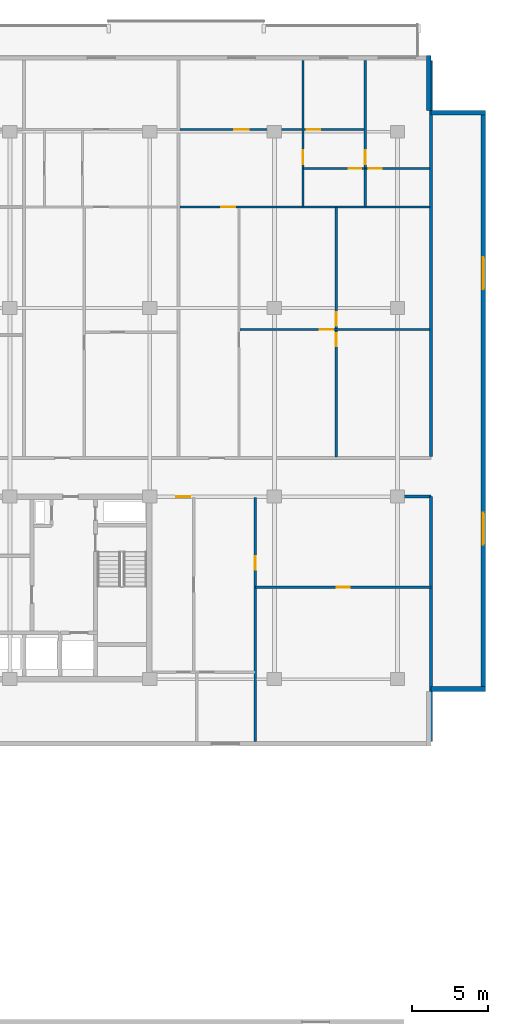
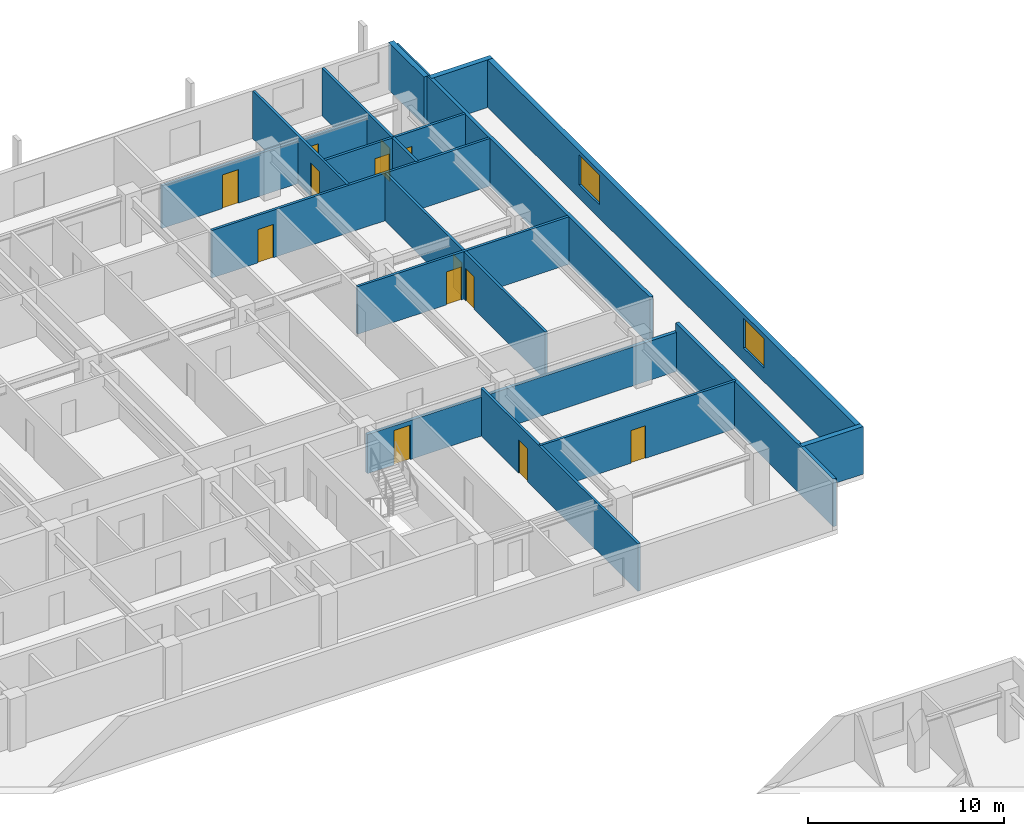
# One storey, part 15 of 21: 17 walls, 13 doors, 2 windows, 15 openings.
"""IFC4 building model written with IfcOpenShell, lengths in metres."""

from ifc_helpers import new_model, si_unit, direction, frame, frame_2d, origin, place, context, subcontext, project, spatial, rectangle, extrude, material, layer, layer_set, type_object, element, fill, save


model = new_model("IFC4")

# Units and contexts
model_context = context("Model", 3, precision=1e-05, world=origin(), true_north=direction((0.0, 1.0)))
body_context = subcontext(model_context, "Body", "Model", "MODEL_VIEW")
ifc_project = project(units=[si_unit("LENGTHUNIT", "METRE"), si_unit("AREAUNIT", "SQUARE_METRE"), si_unit("VOLUMEUNIT", "CUBIC_METRE"), si_unit("PLANEANGLEUNIT", "RADIAN"), si_unit("MASSUNIT", "GRAM", prefix="KILO")], contexts=[model_context])

# Site, building, storey
site_placement = place(None, origin())
site = spatial("IfcSite", under=ifc_project, at=site_placement, CompositionType="ELEMENT")
building_placement = place(site_placement, origin())
building = spatial("IfcBuilding", under=site, at=building_placement, Name="Korimba Cascade Residences", CompositionType="ELEMENT")
storey_placement = place(building_placement, frame((0.0, 0.0, 97.050048828125)))
storey = spatial("IfcBuildingStorey", under=building, at=storey_placement, Name="L27", CompositionType="ELEMENT", Elevation=97.050048828125)

# Wall
ifc_material_1 = material(Name="Precast concrete C40/50", Category="concrete")
ifc_layer_1 = layer(ifc_material_1, 0.300048828125)
ifc_layer_set_1 = layer_set([ifc_layer_1], Name="Precast concrete C40/50")
wall_type_1 = type_object("IfcWallType", Name="EW-STONE-300", PredefinedType="STANDARD", material=ifc_layer_set_1)
wall_1_placement = place(storey_placement, frame((130.60009765625, 54.550048828125, 0.0), z_axis=(0.0, 0.0, 1.0), x_axis=(1.0, 0.0, 0.0)))
element("IfcWall", 1, at=wall_1_placement, inside=storey, type_object=wall_type_1, Name="L27 T1 Perimeter Stone Wall E02", PredefinedType="STANDARD", context=body_context, shape_type="SweptSolid", body=[
    extrude(rectangle(XDim=3.599853515625, YDim=0.300048828125, at=frame_2d((1.7998046875, 0.0))), origin(), (0.0, 0.0, 1.0), 2.969970703125),
])

# Wall, openings, windows
wall_2_placement = place(storey_placement, frame((134.050048828125, 54.39990234375, 0.0), z_axis=(0.0, 0.0, 1.0), x_axis=(0.0, 1.0, 0.0)))
wall_2 = element("IfcWall", 2, at=wall_2_placement, inside=storey, type_object=wall_type_1, Name="L27 T1 Perimeter Stone Wall E03", PredefinedType="STANDARD", context=body_context, shape_type="SweptSolid", body=[
    extrude(rectangle(XDim=38.2001953125, YDim=0.300048828125, at=frame_2d((19.10009765625, 0.0))), origin(), (0.0, 0.0, 1.0), 2.969970703125),
])
opening_1_placement = place(wall_2_placement, frame((9.64599609375, 0.0, 0.85009765625)))
opening_1 = element("IfcOpeningElement", 3, at=opening_1_placement, cuts=wall_2, Name="Opening W-03", PredefinedType="OPENING", context=body_context, shape_type="SweptSolid", body=[
    extrude(rectangle(XDim=2.10009765625, YDim=1.85009765625, at=frame_2d((1.050048828125, 0.925048828125))), frame((0.0, 0.16015625, 0.0), z_axis=(0.0, -1.0, 0.0), x_axis=(1.0, 0.0, 0.0)), (0.0, 0.0, 1.0), 0.320068359375),
])
opening_2_placement = place(wall_2_placement, frame((26.4541015625, 0.0, 0.85009765625)))
opening_2 = element("IfcOpeningElement", 4, at=opening_2_placement, cuts=wall_2, Name="Opening W-03", PredefinedType="OPENING", context=body_context, shape_type="SweptSolid", body=[
    extrude(rectangle(XDim=2.10009765625, YDim=1.85009765625, at=frame_2d((1.050048828125, 0.925048828125))), frame((0.0, 0.16015625, 0.0), z_axis=(0.0, -1.0, 0.0), x_axis=(1.0, 0.0, 0.0)), (0.0, 0.0, 1.0), 0.320068359375),
])
ifc_material_2 = material(Name="Double-Glazed Aluminium Window", Category="aluminium")
window_type = type_object("IfcWindowType", Name="WIN-CRN-2100", PartitioningType="DOUBLE_PANEL_HORIZONTAL", PredefinedType="WINDOW", material=ifc_material_2)
window_1_placement = place(opening_1_placement, origin())
window_1 = element("IfcWindow", 5, at=window_1_placement, inside=storey, type_object=window_type, Name="L27 T1 End View Window 3.1", OverallHeight=1.85009765625, OverallWidth=2.10009765625, PartitioningType="DOUBLE_PANEL_HORIZONTAL", PredefinedType="WINDOW", context=body_context, shape_type="SweptSolid", body=[
    extrude(rectangle(XDim=2.10009765625, YDim=1.85009765625, at=frame_2d((1.050048828125, 0.925048828125))), frame((0.0, 0.030029296875, 0.0), z_axis=(0.0, -1.0, 0.0), x_axis=(1.0, 0.0, 0.0)), (0.0, 0.0, 1.0), 0.06005859375),
])
fill(opening_1, window_1)
window_2_placement = place(opening_2_placement, origin())
window_2 = element("IfcWindow", 6, at=window_2_placement, inside=storey, type_object=window_type, Name="L27 T1 End View Window 3.2", OverallHeight=1.85009765625, OverallWidth=2.10009765625, PartitioningType="DOUBLE_PANEL_HORIZONTAL", PredefinedType="WINDOW", context=body_context, shape_type="SweptSolid", body=[
    extrude(rectangle(XDim=2.10009765625, YDim=1.85009765625, at=frame_2d((1.050048828125, 0.925048828125))), frame((0.0, 0.030029296875, 0.0), z_axis=(0.0, -1.0, 0.0), x_axis=(1.0, 0.0, 0.0)), (0.0, 0.0, 1.0), 0.06005859375),
])
fill(opening_2, window_2)

# Walls
for number, where, z_axis, x_axis, name in (
    (7, (134.199951171875, 92.449951171875, 0.0), (0.0, 0.0, 1.0), (-1.0, 0.0, 0.0), "L27 T1 Perimeter Stone Wall E04"),
    (8, (130.449951171875, 92.60009765625, 0.0), (0.0, 0.0, 1.0), (0.0, 1.0, 0.0), "L27 T1 Perimeter Stone Wall E05"),
):
    element("IfcWall", number, at=place(storey_placement, frame(where, z_axis=z_axis, x_axis=x_axis)), inside=storey, type_object=wall_type_1, Name=name, PredefinedType="STANDARD", context=body_context, shape_type="SweptSolid", body=[
        extrude(rectangle(XDim=3.599853515625, YDim=0.300048828125, at=frame_2d((1.7998046875, 0.0))), origin(), (0.0, 0.0, 1.0), 2.969970703125),
    ])
ifc_layer_2 = layer(ifc_material_1, 0.199951171875)
ifc_layer_set_2 = layer_set([ifc_layer_2], Name="Precast concrete C40/50")
wall_type_2 = type_object("IfcWallType", Name="WAL-IT-200", PredefinedType="PARTITIONING", material=ifc_layer_set_2)
wall_3_placement = place(storey_placement, frame((130.60009765625, 51.10009765625, 0.0), z_axis=(0.0, 0.0, 1.0), x_axis=(0.0, 1.0, 0.0)))
element("IfcWall", 9, at=wall_3_placement, inside=storey, type_object=wall_type_2, Name="L27 Partition Wall WAL-L27-T1-FE-WR", PredefinedType="PARTITIONING", context=body_context, shape_type="SweptSolid", body=[
    extrude(rectangle(XDim=16.099853515625, YDim=0.199951171875, at=frame_2d((8.0498046875, 0.0))), origin(), (0.0, 0.0, 1.0), 2.969970703125),
])

# Wall, opening, door
wall_4_placement = place(storey_placement, frame((112.25, 67.199951171875, 0.0), z_axis=(0.0, 0.0, 1.0), x_axis=(1.0, 0.0, 0.0)))
wall_4 = element("IfcWall", 10, at=wall_4_placement, inside=storey, type_object=wall_type_2, Name="L27 Partition Wall WAL-L27-T1-FE-N", PredefinedType="PARTITIONING", context=body_context, shape_type="SweptSolid", body=[
    extrude(rectangle(XDim=18.35009765625, YDim=0.199951171875, at=frame_2d((9.175048828125, 0.0))), origin(), (0.0, 0.0, 1.0), 2.433349609375),
])
opening_3_placement = place(wall_4_placement, frame((1.580078125, 0.0, 0.0)))
opening_3 = element("IfcOpeningElement", 11, at=opening_3_placement, cuts=wall_4, Name="Opening D-UN1", PredefinedType="OPENING", context=body_context, shape_type="SweptSolid", body=[
    extrude(rectangle(XDim=0.949951171875, YDim=2.14990234375, at=frame_2d((0.47509765625, 1.074951171875))), frame((0.0, 0.10986328125, 0.0), z_axis=(0.0, -1.0, 0.0), x_axis=(1.0, 0.0, 0.0)), (0.0, 0.0, 1.0), 0.219970703125),
])
ifc_material_3 = material(Name="Fire-Rated Hardwood Apartment Entrance Door", Category="wood")
door_type_1 = type_object("IfcDoorType", Name="DR-FD60-950", OperationType="NOTDEFINED", PredefinedType="DOOR", material=ifc_material_3)
door_1_placement = place(opening_3_placement, origin())
door_1 = element("IfcDoor", 12, at=door_1_placement, inside=storey, type_object=door_type_1, Name="L27-T1-FE Entrance Door", OperationType="SINGLE_SWING_LEFT", OverallHeight=2.14990234375, OverallWidth=0.949951171875, PredefinedType="DOOR", context=body_context, shape_type="SweptSolid", body=[
    extrude(rectangle(XDim=0.949951171875, YDim=2.14990234375, at=frame_2d((0.47509765625, 1.074951171875))), frame((0.0, 0.02490234375, 0.0), z_axis=(0.0, -1.0, 0.0), x_axis=(1.0, 0.0, 0.0)), (0.0, 0.0, 1.0), 0.050048828125),
])
fill(opening_3, door_1)

# Wall
wall_5_placement = place(storey_placement, frame((130.60009765625, 69.830078125, 0.0), z_axis=(0.0, 0.0, 1.0), x_axis=(0.0, 1.0, 0.0)))
element("IfcWall", 13, at=wall_5_placement, inside=storey, type_object=wall_type_2, Name="L27 Partition Wall WAL-L27-T1-BNDWR", PredefinedType="PARTITIONING", context=body_context, shape_type="SweptSolid", body=[
    extrude(rectangle(XDim=26.06982421875, YDim=0.199951171875, at=frame_2d((13.034912109375, 0.0))), origin(), (0.0, 0.0, 1.0), 2.969970703125),
])

# Wall, opening, door
ifc_material_4 = material(Name="Insulated Acoustic Stud Partition", Category="gypsum")
ifc_layer_3 = layer(ifc_material_4, 0.14990234375)
ifc_layer_set_3 = layer_set([ifc_layer_3], Name="Insulated Acoustic Stud Partition")
wall_type_3 = type_object("IfcWallType", Name="WAL-PART-150", PredefinedType="PARTITIONING", material=ifc_layer_set_3)
wall_6_placement = place(storey_placement, frame((119.050048828125, 61.25, 0.0), z_axis=(0.0, 0.0, 1.0), x_axis=(1.0, 0.0, 0.0)))
wall_6 = element("IfcWall", 14, at=wall_6_placement, inside=storey, type_object=wall_type_3, Name="L27 Partition Wall WAL-L27-T1-FE-STH", PredefinedType="PARTITIONING", context=body_context, shape_type="SweptSolid", body=[
    extrude(rectangle(XDim=11.550048828125, YDim=0.14990234375, at=frame_2d((5.77490234375, 0.0))), origin(), (0.0, 0.0, 1.0), 2.969970703125),
])
opening_4_placement = place(wall_6_placement, frame((5.35498046875, 0.0, 0.0)))
opening_4 = element("IfcOpeningElement", 15, at=opening_4_placement, cuts=wall_6, Name="Opening D-BT1", PredefinedType="OPENING", context=body_context, shape_type="SweptSolid", body=[
    extrude(rectangle(XDim=0.840087890625, YDim=2.0400390625, at=frame_2d((0.419921875, 1.02001953125))), frame((0.0, 0.0849609375, 0.0), z_axis=(0.0, -1.0, 0.0), x_axis=(1.0, 0.0, 0.0)), (0.0, 0.0, 1.0), 0.169921875),
])
ifc_material_5 = material(Name="Moisture-Resistant Bathroom Timber Door", Category="wood")
door_type_2 = type_object("IfcDoorType", Name="DR-INT-850", OperationType="NOTDEFINED", PredefinedType="DOOR", material=ifc_material_5)
door_2_placement = place(opening_4_placement, origin())
door_2 = element("IfcDoor", 16, at=door_2_placement, inside=storey, type_object=door_type_2, Name="L27-T1-FE Dressing Store Door", OperationType="SINGLE_SWING_RIGHT", OverallHeight=2.0400390625, OverallWidth=0.840087890625, PredefinedType="DOOR", context=body_context, shape_type="SweptSolid", body=[
    extrude(rectangle(XDim=0.840087890625, YDim=2.0400390625, at=frame_2d((0.419921875, 1.02001953125))), frame((0.0, 0.02490234375, 0.0), z_axis=(0.0, -1.0, 0.0), x_axis=(1.0, 0.0, 0.0)), (0.0, 0.0, 1.0), 0.050048828125),
])
fill(opening_4, door_2)

wall_7_placement = place(storey_placement, frame((119.050048828125, 51.10009765625, 0.0), z_axis=(0.0, 0.0, 1.0), x_axis=(0.0, 1.0, 0.0)))
wall_7 = element("IfcWall", 17, at=wall_7_placement, inside=storey, type_object=wall_type_3, Name="L27 Partition Wall WAL-L27-T1-FE-STV", PredefinedType="PARTITIONING", context=body_context, shape_type="SweptSolid", body=[
    extrude(rectangle(XDim=16.0498046875, YDim=0.14990234375, at=frame_2d((8.02490234375, 0.0))), origin(), (0.0, 0.0, 1.0), 2.969970703125),
])
opening_5_placement = place(wall_7_placement, frame((11.300048828125, 0.0, 0.0)))
opening_5 = element("IfcOpeningElement", 18, at=opening_5_placement, cuts=wall_7, Name="Opening D-IN2", PredefinedType="OPENING", context=body_context, shape_type="SweptSolid", body=[
    extrude(rectangle(XDim=0.8798828125, YDim=2.06005859375, at=frame_2d((0.43994140625, 1.030029296875))), frame((0.0, 0.0849609375, 0.0), z_axis=(0.0, -1.0, 0.0), x_axis=(1.0, 0.0, 0.0)), (0.0, 0.0, 1.0), 0.169921875),
])
ifc_material_6 = material(Name="Acoustic Timber Bedroom Door", Category="wood")
door_type_3 = type_object("IfcDoorType", Name="DR-INT-880", OperationType="NOTDEFINED", PredefinedType="DOOR", material=ifc_material_6)
door_3_placement = place(opening_5_placement, origin())
door_3 = element("IfcDoor", 19, at=door_3_placement, inside=storey, type_object=door_type_3, Name="L27-T1-FE Study Door", OperationType="SINGLE_SWING_LEFT", OverallHeight=2.06005859375, OverallWidth=0.8798828125, PredefinedType="DOOR", context=body_context, shape_type="SweptSolid", body=[
    extrude(rectangle(XDim=0.8798828125, YDim=2.06005859375, at=frame_2d((0.43994140625, 1.030029296875))), frame((0.0, 0.02490234375, 0.0), z_axis=(0.0, -1.0, 0.0), x_axis=(1.0, 0.0, 0.0)), (0.0, 0.0, 1.0), 0.050048828125),
])
fill(opening_5, door_3)

# Wall, openings, doors
wall_8_placement = place(storey_placement, frame((124.376953125, 69.81005859375, 0.0), z_axis=(0.0, 0.0, 1.0), x_axis=(0.0, 1.0, 0.0)))
wall_8 = element("IfcWall", 20, at=wall_8_placement, inside=storey, type_object=wall_type_3, Name="L27 Partition Wall WAL-L27-T1-U05-FMV", PredefinedType="PARTITIONING", context=body_context, shape_type="SweptSolid", body=[
    extrude(rectangle(XDim=16.39990234375, YDim=0.14990234375, at=frame_2d((8.199951171875, 0.0))), origin(), (0.0, 0.0, 1.0), 2.969970703125),
])
opening_6_placement = place(wall_8_placement, frame((7.2900390625, 0.0, 0.0)))
opening_6 = element("IfcOpeningElement", 21, at=opening_6_placement, cuts=wall_8, Name="Opening D-BT1", PredefinedType="OPENING", context=body_context, shape_type="SweptSolid", body=[
    extrude(rectangle(XDim=0.840087890625, YDim=2.0400390625, at=frame_2d((0.419921875, 1.02001953125))), frame((0.0, 0.0849609375, 0.0), z_axis=(0.0, -1.0, 0.0), x_axis=(1.0, 0.0, 0.0)), (0.0, 0.0, 1.0), 0.169921875),
])
opening_7_placement = place(wall_8_placement, frame((8.6298828125, 0.0, 0.0)))
opening_7 = element("IfcOpeningElement", 22, at=opening_7_placement, cuts=wall_8, Name="Opening D-IN2", PredefinedType="OPENING", context=body_context, shape_type="SweptSolid", body=[
    extrude(rectangle(XDim=0.8798828125, YDim=2.06005859375, at=frame_2d((0.43994140625, 1.030029296875))), frame((0.0, 0.0849609375, 0.0), z_axis=(0.0, -1.0, 0.0), x_axis=(1.0, 0.0, 0.0)), (0.0, 0.0, 1.0), 0.169921875),
])
door_4_placement = place(opening_6_placement, origin())
door_4 = element("IfcDoor", 23, at=door_4_placement, inside=storey, type_object=door_type_2, Name="L27-T1-U05 Wardrobe Door", OperationType="SINGLE_SWING_LEFT", OverallHeight=2.0400390625, OverallWidth=0.840087890625, PredefinedType="DOOR", context=body_context, shape_type="SweptSolid", body=[
    extrude(rectangle(XDim=0.840087890625, YDim=2.0400390625, at=frame_2d((0.419921875, 1.02001953125))), frame((0.0, 0.02490234375, 0.0), z_axis=(0.0, -1.0, 0.0), x_axis=(1.0, 0.0, 0.0)), (0.0, 0.0, 1.0), 0.050048828125),
])
fill(opening_6, door_4)
door_5_placement = place(opening_7_placement, origin())
door_5 = element("IfcDoor", 24, at=door_5_placement, inside=storey, type_object=door_type_3, Name="L27-T1-U05 Music Lounge Door", OperationType="SINGLE_SWING_RIGHT", OverallHeight=2.06005859375, OverallWidth=0.8798828125, PredefinedType="DOOR", context=body_context, shape_type="SweptSolid", body=[
    extrude(rectangle(XDim=0.8798828125, YDim=2.06005859375, at=frame_2d((0.43994140625, 1.030029296875))), frame((0.0, 0.02490234375, 0.0), z_axis=(0.0, -1.0, 0.0), x_axis=(1.0, 0.0, 0.0)), (0.0, 0.0, 1.0), 0.050048828125),
])
fill(opening_7, door_5)

# Wall, opening, door
wall_9_placement = place(storey_placement, frame((118.033935546875, 78.18994140625, 0.0), z_axis=(0.0, 0.0, 1.0), x_axis=(1.0, 0.0, 0.0)))
wall_9 = element("IfcWall", 25, at=wall_9_placement, inside=storey, type_object=wall_type_3, Name="L27 Partition Wall WAL-L27-T1-U05-FMH", PredefinedType="PARTITIONING", context=body_context, shape_type="SweptSolid", body=[
    extrude(rectangle(XDim=12.486083984375, YDim=0.14990234375, at=frame_2d((6.2431640625, 0.0))), origin(), (0.0, 0.0, 1.0), 2.969970703125),
])
opening_8_placement = place(wall_9_placement, frame((5.242919921875, 0.0, 0.0)))
opening_8 = element("IfcOpeningElement", 26, at=opening_8_placement, cuts=wall_9, Name="Opening D-IN2", PredefinedType="OPENING", context=body_context, shape_type="SweptSolid", body=[
    extrude(rectangle(XDim=0.8798828125, YDim=2.06005859375, at=frame_2d((0.43994140625, 1.030029296875))), frame((0.0, 0.0849609375, 0.0), z_axis=(0.0, -1.0, 0.0), x_axis=(1.0, 0.0, 0.0)), (0.0, 0.0, 1.0), 0.169921875),
])
door_6_placement = place(opening_8_placement, origin())
door_6 = element("IfcDoor", 27, at=door_6_placement, inside=storey, type_object=door_type_3, Name="L27-T1-U05 Library Salon Door", OperationType="SINGLE_SWING_LEFT", OverallHeight=2.06005859375, OverallWidth=0.8798828125, PredefinedType="DOOR", context=body_context, shape_type="SweptSolid", body=[
    extrude(rectangle(XDim=0.8798828125, YDim=2.06005859375, at=frame_2d((0.43994140625, 1.030029296875))), frame((0.0, 0.02490234375, 0.0), z_axis=(0.0, -1.0, 0.0), x_axis=(1.0, 0.0, 0.0)), (0.0, 0.0, 1.0), 0.050048828125),
])
fill(opening_8, door_6)

wall_10_placement = place(storey_placement, frame((122.179931640625, 86.2900390625, 0.0), z_axis=(0.0, 0.0, 1.0), x_axis=(0.0, 1.0, 0.0)))
wall_10 = element("IfcWall", 28, at=wall_10_placement, inside=storey, type_object=wall_type_3, Name="L27 Partition Wall WAL-L27-T1-U05-V1", PredefinedType="PARTITIONING", context=body_context, shape_type="SweptSolid", body=[
    extrude(rectangle(XDim=9.60986328125, YDim=0.14990234375, at=frame_2d((4.804931640625, 0.0))), origin(), (0.0, 0.0, 1.0), 2.969970703125),
])
opening_9_placement = place(wall_10_placement, frame((2.77001953125, 0.0, 0.0)))
opening_9 = element("IfcOpeningElement", 29, at=opening_9_placement, cuts=wall_10, Name="Opening D-IN1", PredefinedType="OPENING", context=body_context, shape_type="SweptSolid", body=[
    extrude(rectangle(XDim=0.919921875, YDim=2.080078125, at=frame_2d((0.4599609375, 1.0400390625))), frame((0.0, 0.0849609375, 0.0), z_axis=(0.0, -1.0, 0.0), x_axis=(1.0, 0.0, 0.0)), (0.0, 0.0, 1.0), 0.169921875),
])
ifc_material_7 = material(Name="Acoustic Timber Living Door", Category="wood")
door_type_4 = type_object("IfcDoorType", Name="DR-INT-920", OperationType="NOTDEFINED", PredefinedType="DOOR", material=ifc_material_7)
door_7_placement = place(opening_9_placement, origin())
door_7 = element("IfcDoor", 30, at=door_7_placement, inside=storey, type_object=door_type_4, Name="L27-T1-U05 Hallway Door", OperationType="SINGLE_SWING_LEFT", OverallHeight=2.080078125, OverallWidth=0.919921875, PredefinedType="DOOR", context=body_context, shape_type="SweptSolid", body=[
    extrude(rectangle(XDim=0.919921875, YDim=2.080078125, at=frame_2d((0.4599609375, 1.0400390625))), frame((0.0, 0.02490234375, 0.0), z_axis=(0.0, -1.0, 0.0), x_axis=(1.0, 0.0, 0.0)), (0.0, 0.0, 1.0), 0.050048828125),
])
fill(opening_9, door_7)

# Wall
wall_11_placement = place(storey_placement, frame((126.27001953125, 86.2900390625, 0.0), z_axis=(0.0, 0.0, 1.0), x_axis=(0.0, 1.0, 0.0)))
element("IfcWall", 31, at=wall_11_placement, inside=storey, type_object=wall_type_3, Name="L27 Partition Wall WAL-L27-T1-U05-VBATH", PredefinedType="PARTITIONING", context=body_context, shape_type="SweptSolid", body=[
    extrude(rectangle(XDim=2.469970703125, YDim=0.14990234375, at=frame_2d((1.23486328125, 0.0))), origin(), (0.0, 0.0, 1.0), 2.969970703125),
])

# Wall, opening, door
wall_12_placement = place(storey_placement, frame((126.27001953125, 88.800048828125, 0.0), z_axis=(0.0, 0.0, 1.0), x_axis=(0.0, 1.0, 0.0)))
wall_12 = element("IfcWall", 32, at=wall_12_placement, inside=storey, type_object=wall_type_3, Name="L27 Partition Wall WAL-L27-T1-U05-V2FULL", PredefinedType="PARTITIONING", context=body_context, shape_type="SweptSolid", body=[
    extrude(rectangle(XDim=7.099853515625, YDim=0.14990234375, at=frame_2d((3.5498046875, 0.0))), origin(), (0.0, 0.0, 1.0), 2.969970703125),
])
opening_10_placement = place(wall_12_placement, frame((0.260009765625, 0.0, 0.0)))
opening_10 = element("IfcOpeningElement", 33, at=opening_10_placement, cuts=wall_12, Name="Opening D-IN1", PredefinedType="OPENING", context=body_context, shape_type="SweptSolid", body=[
    extrude(rectangle(XDim=0.919921875, YDim=2.080078125, at=frame_2d((0.4599609375, 1.0400390625))), frame((0.0, 0.0849609375, 0.0), z_axis=(0.0, -1.0, 0.0), x_axis=(1.0, 0.0, 0.0)), (0.0, 0.0, 1.0), 0.169921875),
])
door_8_placement = place(opening_10_placement, origin())
door_8 = element("IfcDoor", 34, at=door_8_placement, inside=storey, type_object=door_type_4, Name="L27-T1-U05 Master Bedroom Door", OperationType="SINGLE_SWING_RIGHT", OverallHeight=2.080078125, OverallWidth=0.919921875, PredefinedType="DOOR", context=body_context, shape_type="SweptSolid", body=[
    extrude(rectangle(XDim=0.919921875, YDim=2.080078125, at=frame_2d((0.4599609375, 1.0400390625))), frame((0.0, 0.02490234375, 0.0), z_axis=(0.0, -1.0, 0.0), x_axis=(1.0, 0.0, 0.0)), (0.0, 0.0, 1.0), 0.050048828125),
])
fill(opening_10, door_8)

# Wall, openings, doors
wall_13_placement = place(storey_placement, frame((122.219970703125, 88.780029296875, 0.0), z_axis=(0.0, 0.0, 1.0), x_axis=(1.0, 0.0, 0.0)))
wall_13 = element("IfcWall", 35, at=wall_13_placement, inside=storey, type_object=wall_type_3, Name="L27 Partition Wall WAL-L27-T1-U05-HWALL", PredefinedType="PARTITIONING", context=body_context, shape_type="SweptSolid", body=[
    extrude(rectangle(XDim=8.300048828125, YDim=0.14990234375, at=frame_2d((4.14990234375, 0.0))), origin(), (0.0, 0.0, 1.0), 2.969970703125),
])
opening_11_placement = place(wall_13_placement, frame((2.9599609375, 0.0, 0.0)))
opening_11 = element("IfcOpeningElement", 36, at=opening_11_placement, cuts=wall_13, Name="Opening D-BT1", PredefinedType="OPENING", context=body_context, shape_type="SweptSolid", body=[
    extrude(rectangle(XDim=0.840087890625, YDim=2.0400390625, at=frame_2d((0.419921875, 1.02001953125))), frame((0.0, 0.0849609375, 0.0), z_axis=(0.0, -1.0, 0.0), x_axis=(1.0, 0.0, 0.0)), (0.0, 0.0, 1.0), 0.169921875),
])
opening_12_placement = place(wall_13_placement, frame((4.300048828125, 0.0, 0.0)))
opening_12 = element("IfcOpeningElement", 37, at=opening_12_placement, cuts=wall_13, Name="Opening D-BT1", PredefinedType="OPENING", context=body_context, shape_type="SweptSolid", body=[
    extrude(rectangle(XDim=0.840087890625, YDim=2.0400390625, at=frame_2d((0.419921875, 1.02001953125))), frame((0.0, 0.0849609375, 0.0), z_axis=(0.0, -1.0, 0.0), x_axis=(1.0, 0.0, 0.0)), (0.0, 0.0, 1.0), 0.169921875),
])
door_9_placement = place(opening_11_placement, origin())
door_9 = element("IfcDoor", 38, at=door_9_placement, inside=storey, type_object=door_type_2, Name="L27-T1-U05 Family Bathroom Door", OperationType="SINGLE_SWING_LEFT", OverallHeight=2.0400390625, OverallWidth=0.840087890625, PredefinedType="DOOR", context=body_context, shape_type="SweptSolid", body=[
    extrude(rectangle(XDim=0.840087890625, YDim=2.0400390625, at=frame_2d((0.419921875, 1.02001953125))), frame((0.0, 0.02490234375, 0.0), z_axis=(0.0, -1.0, 0.0), x_axis=(1.0, 0.0, 0.0)), (0.0, 0.0, 1.0), 0.050048828125),
])
fill(opening_11, door_9)
door_10_placement = place(opening_12_placement, origin())
door_10 = element("IfcDoor", 39, at=door_10_placement, inside=storey, type_object=door_type_2, Name="L27-T1-U05 En-Suite Door", OperationType="SINGLE_SWING_RIGHT", OverallHeight=2.0400390625, OverallWidth=0.840087890625, PredefinedType="DOOR", context=body_context, shape_type="SweptSolid", body=[
    extrude(rectangle(XDim=0.840087890625, YDim=2.0400390625, at=frame_2d((0.419921875, 1.02001953125))), frame((0.0, 0.02490234375, 0.0), z_axis=(0.0, -1.0, 0.0), x_axis=(1.0, 0.0, 0.0)), (0.0, 0.0, 1.0), 0.050048828125),
])
fill(opening_12, door_10)

# Wall, opening, door
wall_14_placement = place(storey_placement, frame((114.083984375, 86.25, 0.0), z_axis=(0.0, 0.0, 1.0), x_axis=(1.0, 0.0, 0.0)))
wall_14 = element("IfcWall", 40, at=wall_14_placement, inside=storey, type_object=wall_type_3, Name="L27 Partition Wall WAL-L27-T1-U05-MW", PredefinedType="PARTITIONING", context=body_context, shape_type="SweptSolid", body=[
    extrude(rectangle(XDim=16.43603515625, YDim=0.14990234375, at=frame_2d((8.218017578125, 0.0))), origin(), (0.0, 0.0, 1.0), 2.969970703125),
])
opening_13_placement = place(wall_14_placement, frame((2.719970703125, 0.0, 0.0)))
opening_13 = element("IfcOpeningElement", 41, at=opening_13_placement, cuts=wall_14, Name="Opening D-IN1", PredefinedType="OPENING", context=body_context, shape_type="SweptSolid", body=[
    extrude(rectangle(XDim=0.919921875, YDim=2.080078125, at=frame_2d((0.4599609375, 1.0400390625))), frame((0.0, 0.0849609375, 0.0), z_axis=(0.0, -1.0, 0.0), x_axis=(1.0, 0.0, 0.0)), (0.0, 0.0, 1.0), 0.169921875),
])
door_11_placement = place(opening_13_placement, origin())
door_11 = element("IfcDoor", 42, at=door_11_placement, inside=storey, type_object=door_type_4, Name="L27-T1-U05 Kitchen Door", OperationType="SINGLE_SWING_LEFT", OverallHeight=2.080078125, OverallWidth=0.919921875, PredefinedType="DOOR", context=body_context, shape_type="SweptSolid", body=[
    extrude(rectangle(XDim=0.919921875, YDim=2.080078125, at=frame_2d((0.4599609375, 1.0400390625))), frame((0.0, 0.02490234375, 0.0), z_axis=(0.0, -1.0, 0.0), x_axis=(1.0, 0.0, 0.0)), (0.0, 0.0, 1.0), 0.050048828125),
])
fill(opening_13, door_11)

# Wall, openings, doors
wall_15_placement = place(storey_placement, frame((114.083984375, 91.35009765625, 0.0), z_axis=(0.0, 0.0, 1.0), x_axis=(1.0, 0.0, 0.0)))
wall_15 = element("IfcWall", 43, at=wall_15_placement, inside=storey, type_object=wall_type_3, Name="L27 Partition Wall WAL-L27-T1-U05-HZ", PredefinedType="PARTITIONING", context=body_context, shape_type="SweptSolid", body=[
    extrude(rectangle(XDim=12.18603515625, YDim=0.14990234375, at=frame_2d((6.093017578125, 0.0))), origin(), (0.0, 0.0, 1.0), 2.663330078125),
])
opening_14_placement = place(wall_15_placement, frame((3.578125, 0.0, 0.0)))
opening_14 = element("IfcOpeningElement", 44, at=opening_14_placement, cuts=wall_15, Name="Opening D-IN0", PredefinedType="OPENING", context=body_context, shape_type="SweptSolid", body=[
    extrude(rectangle(XDim=0.93994140625, YDim=2.10009765625, at=frame_2d((0.469970703125, 1.050048828125))), frame((0.0, 0.0849609375, 0.0), z_axis=(0.0, -1.0, 0.0), x_axis=(1.0, 0.0, 0.0)), (0.0, 0.0, 1.0), 0.169921875),
])
opening_15_placement = place(wall_15_placement, frame((8.34619140625, 0.0, 0.0)))
opening_15 = element("IfcOpeningElement", 45, at=opening_15_placement, cuts=wall_15, Name="Opening D-IN2", PredefinedType="OPENING", context=body_context, shape_type="SweptSolid", body=[
    extrude(rectangle(XDim=0.8798828125, YDim=2.06005859375, at=frame_2d((0.43994140625, 1.030029296875))), frame((0.0, 0.0849609375, 0.0), z_axis=(0.0, -1.0, 0.0), x_axis=(1.0, 0.0, 0.0)), (0.0, 0.0, 1.0), 0.169921875),
])
door_12_placement = place(opening_15_placement, origin())
door_12 = element("IfcDoor", 46, at=door_12_placement, inside=storey, type_object=door_type_3, Name="L27-T1-U05 Bedroom 2 Door", OperationType="SINGLE_SWING_LEFT", OverallHeight=2.06005859375, OverallWidth=0.8798828125, PredefinedType="DOOR", context=body_context, shape_type="SweptSolid", body=[
    extrude(rectangle(XDim=0.8798828125, YDim=2.06005859375, at=frame_2d((0.43994140625, 1.030029296875))), frame((0.0, 0.02490234375, 0.0), z_axis=(0.0, -1.0, 0.0), x_axis=(1.0, 0.0, 0.0)), (0.0, 0.0, 1.0), 0.050048828125),
])
fill(opening_15, door_12)
ifc_material_8 = material(Name="Acoustic Timber Living Archway Door", Category="wood")
door_type_5 = type_object("IfcDoorType", Name="DR-INT-950", OperationType="NOTDEFINED", PredefinedType="DOOR", material=ifc_material_8)
door_13_placement = place(opening_14_placement, origin())
door_13 = element("IfcDoor", 47, at=door_13_placement, inside=storey, type_object=door_type_5, Name="L27-T1-U05 Living Room Door", OperationType="SINGLE_SWING_RIGHT", OverallHeight=2.10009765625, OverallWidth=0.93994140625, PredefinedType="DOOR", context=body_context, shape_type="SweptSolid", body=[
    extrude(rectangle(XDim=0.93994140625, YDim=2.10009765625, at=frame_2d((0.469970703125, 1.050048828125))), frame((0.0, 0.02490234375, 0.0), z_axis=(0.0, -1.0, 0.0), x_axis=(1.0, 0.0, 0.0)), (0.0, 0.0, 1.0), 0.050048828125),
])
fill(opening_14, door_13)

save(model, "model.ifc")
